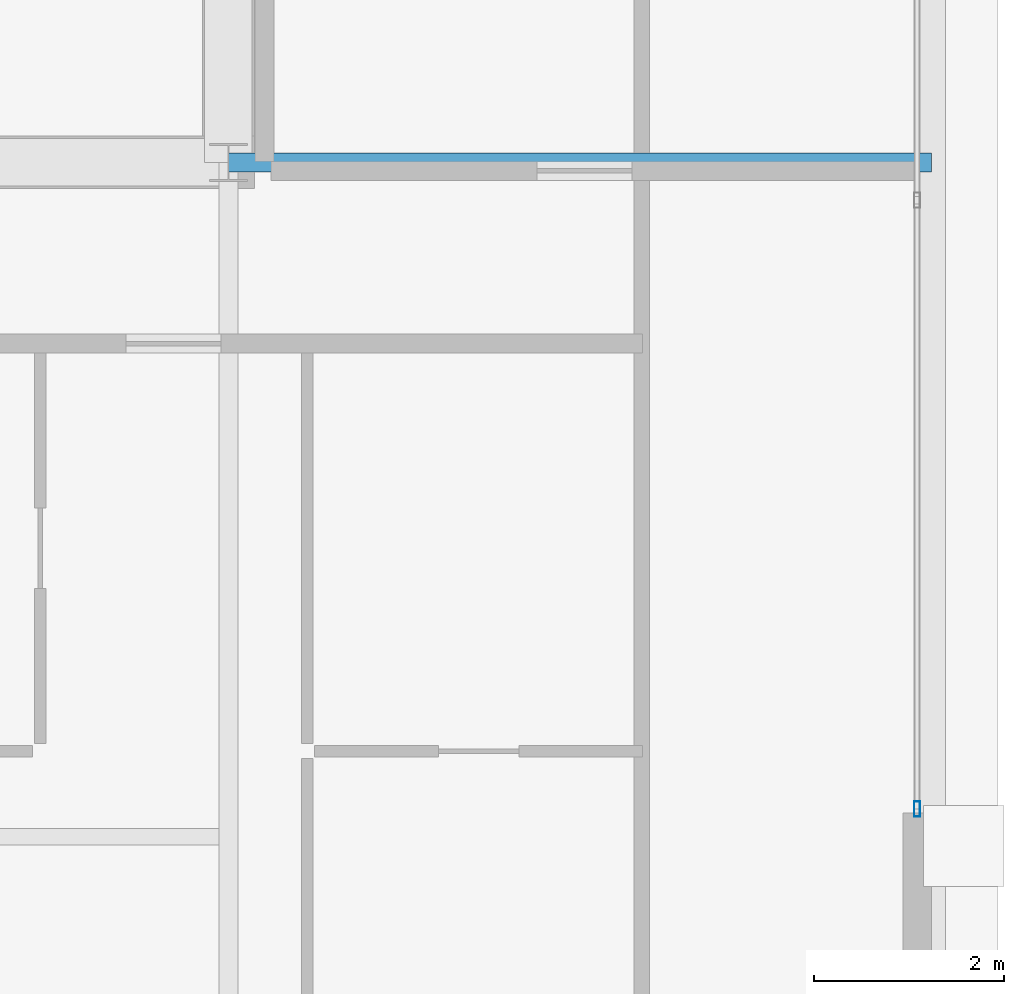
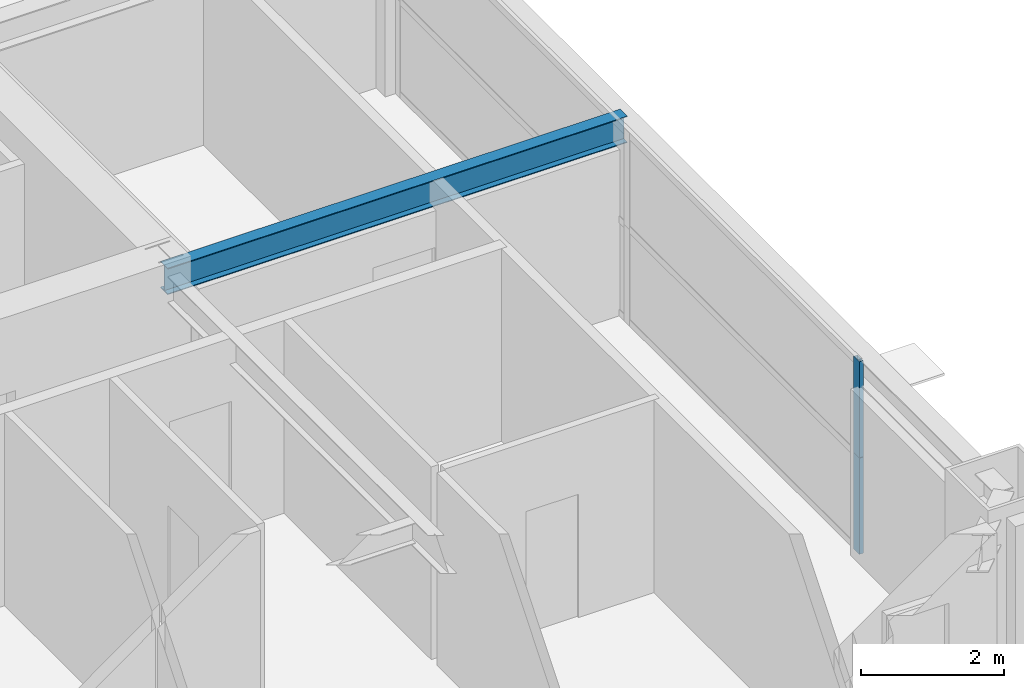
# One storey, part 17 of 37: 2 members, 1 beam, 1 element without a shape of its own.
"""IFC4 building model written with IfcOpenShell, lengths in metres."""

from ifc_helpers import new_model, si_unit, direction, frame, origin, origin_2d, place, context, subcontext, project, spatial, hollow_rectangle, i_section, extrude, source, transform, mapped, material, layer, layer_set, material_profile, profile_set, type_object, element, aggregate, save


model = new_model("IFC4")

# Units and contexts
model_context = context("Model", 3, precision=1e-05, world=origin(), true_north=direction((0.0, 1.0)))
body_context = subcontext(model_context, "Body", "Model", "MODEL_VIEW")
ifc_project = project(units=[si_unit("LENGTHUNIT", "METRE"), si_unit("AREAUNIT", "SQUARE_METRE"), si_unit("VOLUMEUNIT", "CUBIC_METRE"), si_unit("PLANEANGLEUNIT", "RADIAN"), si_unit("MASSUNIT", "GRAM", prefix="KILO"), si_unit("THERMODYNAMICTEMPERATUREUNIT", "KELVIN"), si_unit("POWERUNIT", "WATT")], contexts=[model_context])

# Site, building, storey
site_placement = place(None, origin())
site = spatial("IfcSite", under=ifc_project, at=site_placement, CompositionType="ELEMENT")
building_placement = place(site_placement, origin())
building = spatial("IfcBuilding", under=site, at=building_placement, Name="Yuzanri Waterfront Tower", CompositionType="ELEMENT")
storey_placement = place(building_placement, frame((0.0, 0.0, 252.10009765625)))
storey = spatial("IfcBuildingStorey", under=building, at=storey_placement, Name="L67", CompositionType="ELEMENT", Elevation=252.10009765625)

# Beam
ifc_material_1 = material(Name="Steel Q355B", Category="steel")
ifc_material_profile_1 = material_profile(ifc_material_1, i_section(OverallWidth=0.199951171875, OverallDepth=0.449951171875, WebThickness=0.009033203125, FlangeThickness=0.013916015625, at=origin_2d()), Name="HN 450x200x9x14")
ifc_profile_set_1 = profile_set([ifc_material_profile_1], Name="Steel Q355B")
beam_type = type_object("IfcBeamType", Name="Secondary Floor Beam Q355B HN 450x200", PredefinedType="BEAM", material=ifc_profile_set_1)
shared_shape_1 = source(origin(), body_context, "Body", "SweptSolid", [
    extrude(i_section(OverallWidth=0.199951171875, OverallDepth=0.449951171875, WebThickness=0.009033203125, FlangeThickness=0.013916015625, at=origin_2d()), origin(), (0.0, 0.0, 1.0), 7.400146484375),
])
beam_placement = place(storey_placement, frame((50.199951171875, 19.39990234375, 3.054931640625), z_axis=(1.0, 0.0, 0.0), x_axis=(0.0, 1.0, 0.0)))
element("IfcBeam", 1, at=beam_placement, inside=storey, type_object=beam_type, Name="L67 East-South Core Line Beam", PredefinedType="BEAM", context=body_context, shape_type="MappedRepresentation", body=[
    mapped(shared_shape_1, transform((0.0, 0.0, 0.0), scale=1.0)),
])

# Curtain wall, members
ifc_material_2 = material(Name="Anodized Architectural Bronze", Category="metal")
ifc_layer = layer(ifc_material_2, 0.159912109375)
ifc_layer_set = layer_set([ifc_layer], Name="Anodized Architectural Bronze")
curtain_wall_type = type_object("IfcCurtainWallType", Name="Anodized Bronze Mid-Rise Residential Acoustic Unitized Curtain Wall 7200", PredefinedType="NOTDEFINED", material=ifc_layer_set)
curtain_wall_placement = place(storey_placement, origin())
curtain_wall = element("IfcCurtainWall", 2, at=curtain_wall_placement, inside=storey, type_object=curtain_wall_type, Name="L67 Curtain Wall CW-L67-EL", PredefinedType="NOTDEFINED")
ifc_material_3 = material(Name="Anodized Architectural Bronze", Category="metal")
ifc_material_profile_2 = material_profile(ifc_material_3, hollow_rectangle(XDim=0.06494140625, YDim=0.159912109375, WallThickness=0.00341796875, at=origin_2d()), Name="CWM 65x160")
ifc_profile_set_2 = profile_set([ifc_material_profile_2], Name="Anodized Architectural Bronze")
member_type = type_object("IfcMemberType", Name="Anodized Bronze Upper-Zone Curtain-Wall Mullion 65x160", PredefinedType="MULLION", material=ifc_profile_set_2)
shared_shape_2 = source(origin(), body_context, "Body", "SweptSolid", [
    extrude(hollow_rectangle(XDim=0.06494140625, YDim=0.159912109375, WallThickness=0.00341796875, at=origin_2d()), origin(), (0.0, 0.0, 1.0), 1.637939453125),
])
member_1_placement = place(storey_placement, frame((57.449951171875, 12.590087890625, 0.0), z_axis=(0.0, 0.0, 1.0), x_axis=(1.0, 0.0, 0.0)))
member_1 = element("IfcMember", 3, at=member_1_placement, type_object=member_type, Name="CW-L67-EL Lower Mullion 00", PredefinedType="MULLION", context=body_context, shape_type="MappedRepresentation", body=[
    mapped(shared_shape_2, transform((0.0, 0.0, 0.0), scale=1.0)),
])
member_2_placement = place(storey_placement, frame((57.449951171875, 12.590087890625, 1.641845703125), z_axis=(0.0, 0.0, 1.0), x_axis=(1.0, 0.0, 0.0)))
member_2 = element("IfcMember", 4, at=member_2_placement, type_object=member_type, Name="CW-L67-EL Upper Mullion 00", PredefinedType="MULLION", context=body_context, shape_type="MappedRepresentation", body=[
    mapped(shared_shape_2, transform((0.0, 0.0, 0.0), scale=1.0)),
])
aggregate(curtain_wall, [member_1, member_2])

save(model, "model.ifc")
